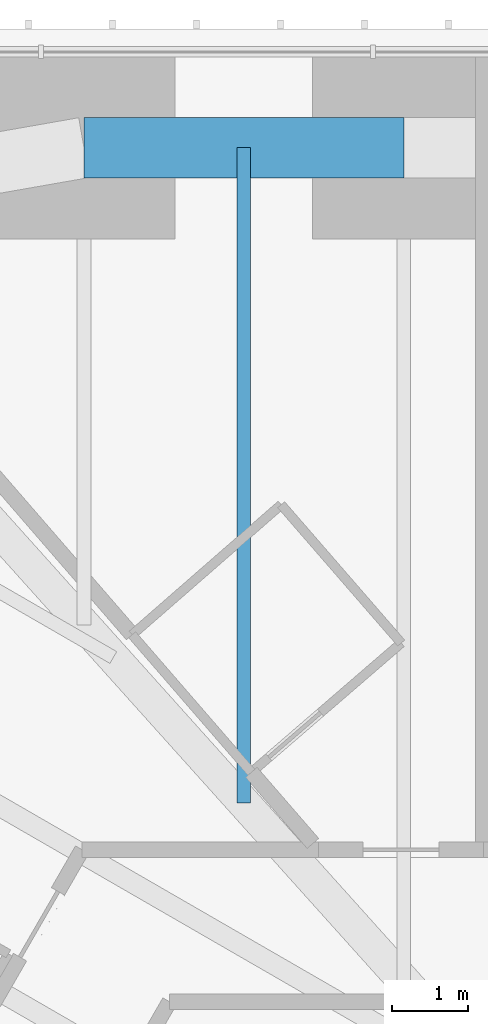
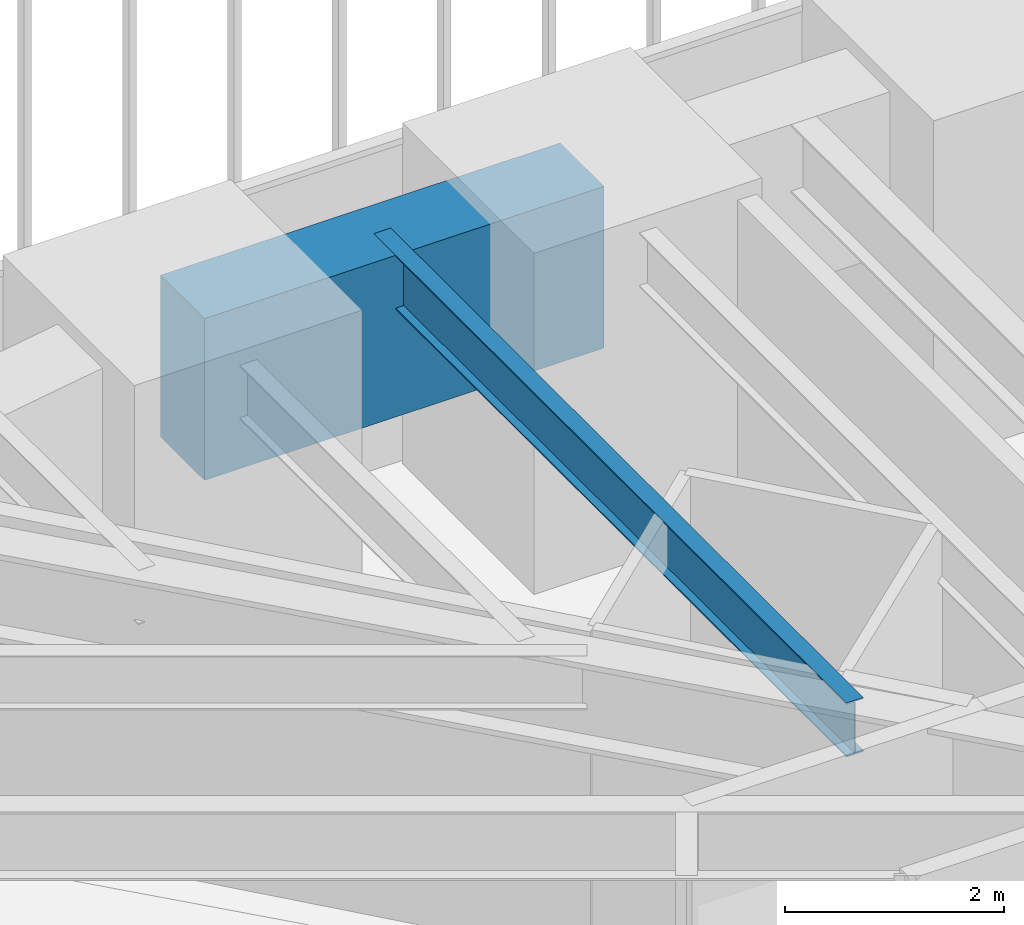
# One storey, part 168 of 256: 2 beams.
"""IFC4 building model written with IfcOpenShell, lengths in metres."""

from ifc_helpers import new_model, si_unit, direction, frame, origin, origin_2d, place, context, subcontext, project, spatial, rectangle, i_section, extrude, material, material_profile, profile_set, type_object, element, save


model = new_model("IFC4")

# Units and contexts
model_context = context("Model", 3, precision=1e-05, world=origin(), true_north=direction((0.0, 1.0)))
body_context = subcontext(model_context, "Body", "Model", "MODEL_VIEW")
ifc_project = project(units=[si_unit("LENGTHUNIT", "METRE"), si_unit("AREAUNIT", "SQUARE_METRE"), si_unit("VOLUMEUNIT", "CUBIC_METRE"), si_unit("PLANEANGLEUNIT", "RADIAN"), si_unit("MASSUNIT", "GRAM", prefix="KILO")], contexts=[model_context])

# Site, building, storey
site_placement = place(None, origin())
site = spatial("IfcSite", under=ifc_project, at=site_placement, CompositionType="ELEMENT")
building_placement = place(site_placement, origin())
building = spatial("IfcBuilding", under=site, at=building_placement, Name="Sandreach Pilgrim Tower", CompositionType="ELEMENT")
storey_placement = place(building_placement, frame((0.0, 0.0, 23.0)))
storey = spatial("IfcBuildingStorey", under=building, at=storey_placement, Name="L04", CompositionType="ELEMENT", Elevation=23.0)

# Beams
ifc_material_1 = material(Name="Steel ASTM A992 Grade 50", Category="steel")
ifc_material_profile_1 = material_profile(ifc_material_1, i_section(OverallWidth=0.1787109375, OverallDepth=0.60205078125, WebThickness=0.010986328125, FlangeThickness=0.014892578125, at=origin_2d()), Name="W24X62")
ifc_profile_set_1 = profile_set([ifc_material_profile_1], Name="Steel ASTM A992 Grade 50")
beam_type_1 = type_object("IfcBeamType", Name="Floor beam W24X62", PredefinedType="BEAM", material=ifc_profile_set_1)
beam_1_placement = place(storey_placement, frame((-12.629638671875, 22.688720703125, 3.339111328125), z_axis=(0.0, -1.0, 0.0), x_axis=(1.0, 0.0, 0.0)))
element("IfcBeam", 1, at=beam_1_placement, inside=storey, type_object=beam_type_1, Name="BM L04 FM01", PredefinedType="BEAM", context=body_context, shape_type="SweptSolid", body=[
    extrude(i_section(OverallWidth=0.1787109375, OverallDepth=0.60205078125, WebThickness=0.010986328125, FlangeThickness=0.014892578125, at=origin_2d()), origin(), (0.0, 0.0, 1.0), 8.62353515625),
])
ifc_material_2 = material(Name="Concrete 10000 psi", Category="concrete")
ifc_material_profile_2 = material_profile(ifc_material_2, rectangle(XDim=0.800048828125, YDim=1.800048828125, at=origin_2d()), Name="RC800X1800")
ifc_profile_set_2 = profile_set([ifc_material_profile_2], Name="Concrete 10000 psi")
beam_type_2 = type_object("IfcBeamType", Name="Spandrel beam RC800X1800", PredefinedType="SPANDREL", material=ifc_profile_set_2)
beam_2_placement = place(storey_placement, frame((-14.734619140625, 22.688720703125, 2.739990234375), z_axis=(1.0, 0.0, 0.0), x_axis=(0.0, 1.0, 0.0)))
element("IfcBeam", 2, at=beam_2_placement, inside=storey, type_object=beam_type_2, Name="BM L04 SP01", PredefinedType="SPANDREL", context=body_context, shape_type="SweptSolid", body=[
    extrude(rectangle(XDim=0.800048828125, YDim=1.800048828125, at=origin_2d()), origin(), (0.0, 0.0, 1.0), 4.209716796875),
])

save(model, "model.ifc")
